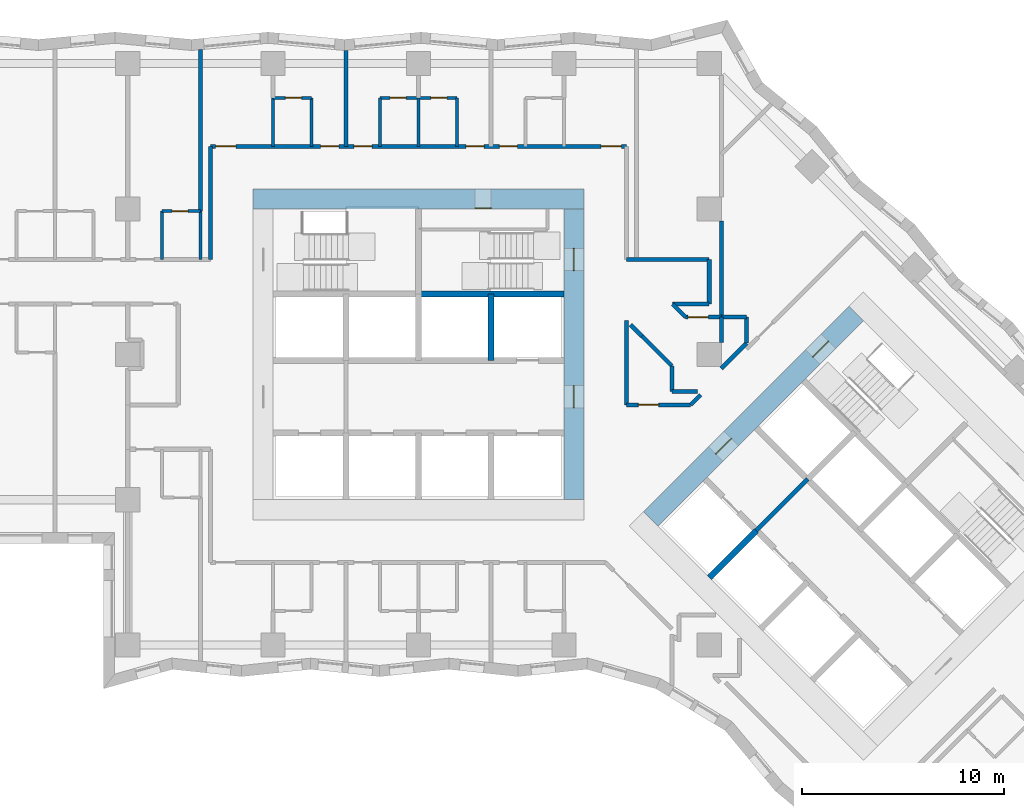
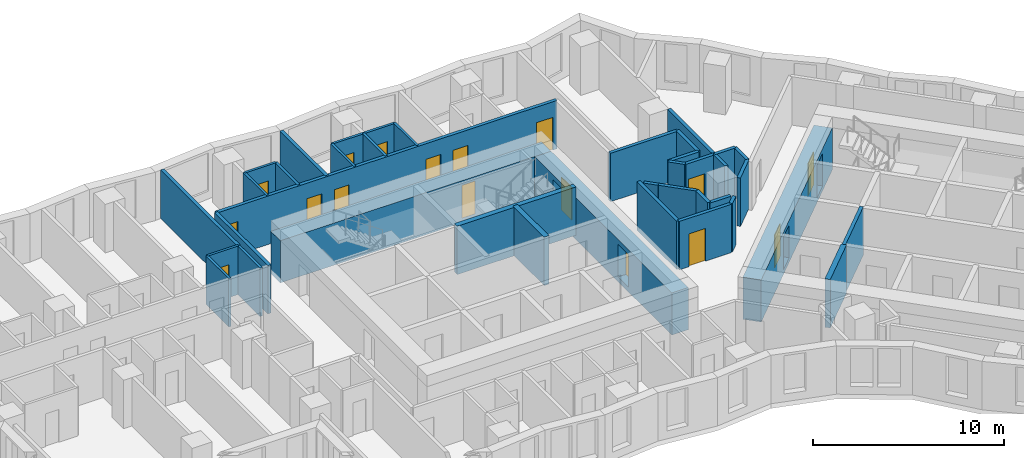
# One storey, part 6 of 13: 38 walls, 17 doors, 17 openings.
"""IFC4 building model written with IfcOpenShell, lengths in metres."""

from ifc_helpers import new_model, si_unit, direction, frame, frame_2d, origin, place, context, subcontext, project, spatial, rectangle, extrude, material, layer, layer_set, type_object, element, fill, save


model = new_model("IFC4")

# Units and contexts
model_context = context("Model", 3, precision=1e-05, world=origin(), true_north=direction((0.0, 1.0)))
body_context = subcontext(model_context, "Body", "Model", "MODEL_VIEW")
ifc_project = project(units=[si_unit("LENGTHUNIT", "METRE"), si_unit("AREAUNIT", "SQUARE_METRE"), si_unit("VOLUMEUNIT", "CUBIC_METRE"), si_unit("PLANEANGLEUNIT", "RADIAN"), si_unit("MASSUNIT", "GRAM", prefix="KILO")], contexts=[model_context])

# Site, building, storey
site_placement = place(None, origin())
site = spatial("IfcSite", under=ifc_project, at=site_placement, CompositionType="ELEMENT")
building_placement = place(site_placement, origin())
building = spatial("IfcBuilding", under=site, at=building_placement, Name="Windrow Commons", CompositionType="ELEMENT")
storey_placement = place(building_placement, frame((0.0, 0.0, 33.8)))
storey = spatial("IfcBuildingStorey", under=building, at=storey_placement, Name="L08", CompositionType="ELEMENT", Elevation=33.8)

# Wall
ifc_material_1 = material(Name="Blockwork partition", Category="masonry")
ifc_layer_1 = layer(ifc_material_1, 0.2)
ifc_layer_set_1 = layer_set([ifc_layer_1], Name="Fire lobby partition 200")
wall_type_1 = type_object("IfcWallType", Name="Fire lobby partition 200", PredefinedType="PARTITIONING", material=ifc_layer_set_1)
wall_1_placement = place(storey_placement, frame((81.5335, 48.8776, 0.0), z_axis=(0.0, 0.0, 1.0), x_axis=(0.707092892, 0.7071206701, 0.0)))
element("IfcWall", 1, at=wall_1_placement, inside=storey, type_object=wall_type_1, Name="W-core-lobby-B-L08", PredefinedType="PARTITIONING", context=body_context, shape_type="SweptSolid", body=[
    extrude(rectangle(XDim=3.6, YDim=0.2, at=frame_2d((1.8, 0.0))), origin(), (0.0, 0.0, 1.0), 3.1),
])

# Wall, openings, doors
ifc_material_2 = material(Name="Blockwork partition", Category="masonry")
ifc_layer_2 = layer(ifc_material_2, 0.2)
ifc_layer_set_2 = layer_set([ifc_layer_2], Name="IW-CORRIDOR-200")
wall_type_2 = type_object("IfcWallType", Name="IW-CORRIDOR-200", PredefinedType="PARTITIONING", material=ifc_layer_set_2)
wall_2_placement = place(storey_placement, frame((54.5, 67.9, 0.0), z_axis=(0.0, 0.0, 1.0), x_axis=(1.0, 0.0, 0.0)))
wall_2 = element("IfcWall", 2, at=wall_2_placement, inside=storey, type_object=wall_type_2, Name="W-L08-W002", PredefinedType="PARTITIONING", context=body_context, shape_type="SweptSolid", body=[
    extrude(rectangle(XDim=20.6, YDim=0.2, at=frame_2d((10.3, 0.0))), origin(), (0.0, 0.0, 1.0), 3.1),
])
opening_1_placement = place(wall_2_placement, frame((0.2548, 0.0, 0.0)))
opening_1 = element("IfcOpeningElement", 3, at=opening_1_placement, cuts=wall_2, Name="Opening D310F", PredefinedType="OPENING", context=body_context, shape_type="SweptSolid", body=[
    extrude(rectangle(XDim=1.0, YDim=2.1, at=frame_2d((0.5, 1.05))), frame((0.0, 0.11, 0.0), z_axis=(0.0, -1.0, 0.0), x_axis=(1.0, 0.0, 0.0)), (0.0, 0.0, 1.0), 0.22),
])
opening_2_placement = place(wall_2_placement, frame((19.3452, 0.0, 0.0)))
opening_2 = element("IfcOpeningElement", 4, at=opening_2_placement, cuts=wall_2, Name="Opening D310F", PredefinedType="OPENING", context=body_context, shape_type="SweptSolid", body=[
    extrude(rectangle(XDim=1.0, YDim=2.1, at=frame_2d((0.5, 1.05))), frame((0.0, 0.11, 0.0), z_axis=(0.0, -1.0, 0.0), x_axis=(1.0, 0.0, 0.0)), (0.0, 0.0, 1.0), 0.22),
])
opening_3_placement = place(wall_2_placement, frame((5.45, 0.0, 0.0)))
opening_3 = element("IfcOpeningElement", 5, at=opening_3_placement, cuts=wall_2, Name="Opening D109S", PredefinedType="OPENING", context=body_context, shape_type="SweptSolid", body=[
    extrude(rectangle(XDim=0.9, YDim=2.1, at=frame_2d((0.45, 1.05))), frame((0.0, 0.11, 0.0), z_axis=(0.0, -1.0, 0.0), x_axis=(1.0, 0.0, 0.0)), (0.0, 0.0, 1.0), 0.22),
])
opening_4_placement = place(wall_2_placement, frame((7.1, 0.0, 0.0)))
opening_4 = element("IfcOpeningElement", 6, at=opening_4_placement, cuts=wall_2, Name="Opening D109S", PredefinedType="OPENING", context=body_context, shape_type="SweptSolid", body=[
    extrude(rectangle(XDim=0.9, YDim=2.1, at=frame_2d((0.45, 1.05))), frame((0.0, 0.11, 0.0), z_axis=(0.0, -1.0, 0.0), x_axis=(1.0, 0.0, 0.0)), (0.0, 0.0, 1.0), 0.22),
])
opening_5_placement = place(wall_2_placement, frame((12.65, 0.0, 0.0)))
opening_5 = element("IfcOpeningElement", 7, at=opening_5_placement, cuts=wall_2, Name="Opening D109S", PredefinedType="OPENING", context=body_context, shape_type="SweptSolid", body=[
    extrude(rectangle(XDim=0.9, YDim=2.1, at=frame_2d((0.45, 1.05))), frame((0.0, 0.11, 0.0), z_axis=(0.0, -1.0, 0.0), x_axis=(1.0, 0.0, 0.0)), (0.0, 0.0, 1.0), 0.22),
])
opening_6_placement = place(wall_2_placement, frame((14.3, 0.0, 0.0)))
opening_6 = element("IfcOpeningElement", 8, at=opening_6_placement, cuts=wall_2, Name="Opening D109S", PredefinedType="OPENING", context=body_context, shape_type="SweptSolid", body=[
    extrude(rectangle(XDim=0.9, YDim=2.1, at=frame_2d((0.45, 1.05))), frame((0.0, 0.11, 0.0), z_axis=(0.0, -1.0, 0.0), x_axis=(1.0, 0.0, 0.0)), (0.0, 0.0, 1.0), 0.22),
])
ifc_material_3 = material(Name="Timber door leaf", Category="wood")
door_type_1 = type_object("IfcDoorType", Name="DT-AMENITY-1000", OperationType="SINGLE_SWING_LEFT", PredefinedType="DOOR", material=ifc_material_3)
door_1_placement = place(opening_1_placement, origin())
door_1 = element("IfcDoor", 9, at=door_1_placement, inside=storey, type_object=door_type_1, Name="D-L08-D024", OperationType="SINGLE_SWING_LEFT", OverallHeight=2.1, OverallWidth=1.0, PredefinedType="DOOR", context=body_context, shape_type="SweptSolid", body=[
    extrude(rectangle(XDim=1.0, YDim=2.1, at=frame_2d((0.5, 1.05))), frame((0.0, 0.025, 0.0), z_axis=(0.0, -1.0, 0.0), x_axis=(1.0, 0.0, 0.0)), (0.0, 0.0, 1.0), 0.05),
])
fill(opening_1, door_1)
door_2_placement = place(opening_2_placement, origin())
door_2 = element("IfcDoor", 10, at=door_2_placement, inside=storey, type_object=door_type_1, Name="D-L08-D025", OperationType="SINGLE_SWING_RIGHT", OverallHeight=2.1, OverallWidth=1.0, PredefinedType="DOOR", context=body_context, shape_type="SweptSolid", body=[
    extrude(rectangle(XDim=1.0, YDim=2.1, at=frame_2d((0.5, 1.05))), frame((0.0, 0.025, 0.0), z_axis=(0.0, -1.0, 0.0), x_axis=(1.0, 0.0, 0.0)), (0.0, 0.0, 1.0), 0.05),
])
fill(opening_2, door_2)
ifc_material_4 = material(Name="Timber door leaf", Category="wood")
door_type_2 = type_object("IfcDoorType", Name="DT-BEDROOM-900", OperationType="SINGLE_SWING_LEFT", PredefinedType="DOOR", material=ifc_material_4)
door_3_placement = place(opening_3_placement, origin())
door_3 = element("IfcDoor", 11, at=door_3_placement, inside=storey, type_object=door_type_2, Name="D-L08-D031", OperationType="SINGLE_SWING_RIGHT", OverallHeight=2.1, OverallWidth=0.9, PredefinedType="DOOR", context=body_context, shape_type="SweptSolid", body=[
    extrude(rectangle(XDim=0.9, YDim=2.1, at=frame_2d((0.45, 1.05))), frame((0.0, 0.025, 0.0), z_axis=(0.0, -1.0, 0.0), x_axis=(1.0, 0.0, 0.0)), (0.0, 0.0, 1.0), 0.05),
])
fill(opening_3, door_3)
door_4_placement = place(opening_4_placement, origin())
door_4 = element("IfcDoor", 12, at=door_4_placement, inside=storey, type_object=door_type_2, Name="D-L08-D033", OperationType="SINGLE_SWING_LEFT", OverallHeight=2.1, OverallWidth=0.9, PredefinedType="DOOR", context=body_context, shape_type="SweptSolid", body=[
    extrude(rectangle(XDim=0.9, YDim=2.1, at=frame_2d((0.45, 1.05))), frame((0.0, 0.025, 0.0), z_axis=(0.0, -1.0, 0.0), x_axis=(1.0, 0.0, 0.0)), (0.0, 0.0, 1.0), 0.05),
])
fill(opening_4, door_4)
door_5_placement = place(opening_5_placement, origin())
door_5 = element("IfcDoor", 13, at=door_5_placement, inside=storey, type_object=door_type_2, Name="D-L08-D035", OperationType="SINGLE_SWING_RIGHT", OverallHeight=2.1, OverallWidth=0.9, PredefinedType="DOOR", context=body_context, shape_type="SweptSolid", body=[
    extrude(rectangle(XDim=0.9, YDim=2.1, at=frame_2d((0.45, 1.05))), frame((0.0, 0.025, 0.0), z_axis=(0.0, -1.0, 0.0), x_axis=(1.0, 0.0, 0.0)), (0.0, 0.0, 1.0), 0.05),
])
fill(opening_5, door_5)
door_6_placement = place(opening_6_placement, origin())
door_6 = element("IfcDoor", 14, at=door_6_placement, inside=storey, type_object=door_type_2, Name="D-L08-D037", OperationType="SINGLE_SWING_LEFT", OverallHeight=2.1, OverallWidth=0.9, PredefinedType="DOOR", context=body_context, shape_type="SweptSolid", body=[
    extrude(rectangle(XDim=0.9, YDim=2.1, at=frame_2d((0.45, 1.05))), frame((0.0, 0.025, 0.0), z_axis=(0.0, -1.0, 0.0), x_axis=(1.0, 0.0, 0.0)), (0.0, 0.0, 1.0), 0.05),
])
fill(opening_6, door_6)

# Walls
wall_3_placement = place(storey_placement, frame((54.5, 62.302, 0.0), z_axis=(0.0, 0.0, 1.0), x_axis=(0.0, 1.0, 0.0)))
element("IfcWall", 15, at=wall_3_placement, inside=storey, type_object=wall_type_2, Name="W-L08-W039", PredefinedType="PARTITIONING", context=body_context, shape_type="SweptSolid", body=[
    extrude(rectangle(XDim=5.598, YDim=0.2, at=frame_2d((2.799, 0.0))), origin(), (0.0, 0.0, 1.0), 3.1),
])
wall_4_placement = place(storey_placement, frame((75.1, 55.102, 0.0), z_axis=(0.0, 0.0, 1.0), x_axis=(0.0, 1.0, 0.0)))
element("IfcWall", 16, at=wall_4_placement, inside=storey, type_object=wall_type_2, Name="W-L08-W056", PredefinedType="PARTITIONING", context=body_context, shape_type="SweptSolid", body=[
    extrude(rectangle(XDim=4.166, YDim=0.2, at=frame_2d((2.083, 0.0))), origin(), (0.0, 0.0, 1.0), 3.1),
])
wall_5_placement = place(storey_placement, frame((75.102, 62.3, 0.0), z_axis=(0.0, 0.0, 1.0), x_axis=(1.0, 0.0, 0.0)))
element("IfcWall", 17, at=wall_5_placement, inside=storey, type_object=wall_type_2, Name="W-L08-W058", PredefinedType="PARTITIONING", context=body_context, shape_type="SweptSolid", body=[
    extrude(rectangle(XDim=4.098, YDim=0.2, at=frame_2d((2.049, 0.0))), origin(), (0.0, 0.0, 1.0), 3.1),
])

# Wall, opening, door
wall_6_placement = place(storey_placement, frame((75.102, 55.1, 0.0), z_axis=(0.0, 0.0, 1.0), x_axis=(1.0, 0.0, 0.0)))
wall_6 = element("IfcWall", 18, at=wall_6_placement, inside=storey, type_object=wall_type_2, Name="W-L08-W068", PredefinedType="PARTITIONING", context=body_context, shape_type="SweptSolid", body=[
    extrude(rectangle(XDim=3.178, YDim=0.2, at=frame_2d((1.589, 0.0))), origin(), (0.0, 0.0, 1.0), 3.1),
])
opening_7_placement = place(wall_6_placement, frame((0.5937, 0.0, 0.0)))
opening_7 = element("IfcOpeningElement", 19, at=opening_7_placement, cuts=wall_6, Name="Opening D310F", PredefinedType="OPENING", context=body_context, shape_type="SweptSolid", body=[
    extrude(rectangle(XDim=1.0, YDim=2.1, at=frame_2d((0.5, 1.05))), frame((0.0, 0.11, 0.0), z_axis=(0.0, -1.0, 0.0), x_axis=(1.0, 0.0, 0.0)), (0.0, 0.0, 1.0), 0.22),
])
door_7_placement = place(opening_7_placement, origin())
door_7 = element("IfcDoor", 20, at=door_7_placement, inside=storey, type_object=door_type_1, Name="D-L08-D000", OperationType="SINGLE_SWING_LEFT", OverallHeight=2.1, OverallWidth=1.0, PredefinedType="DOOR", context=body_context, shape_type="SweptSolid", body=[
    extrude(rectangle(XDim=1.0, YDim=2.1, at=frame_2d((0.5, 1.05))), frame((0.0, 0.025, 0.0), z_axis=(0.0, -1.0, 0.0), x_axis=(1.0, 0.0, 0.0)), (0.0, 0.0, 1.0), 0.05),
])
fill(opening_7, door_7)

# Walls
wall_7_placement = place(storey_placement, frame((79.2, 60.102, 0.0), z_axis=(0.0, 0.0, 1.0), x_axis=(0.0, 1.0, 0.0)))
element("IfcWall", 21, at=wall_7_placement, inside=storey, type_object=wall_type_2, Name="W-L08-W130", PredefinedType="PARTITIONING", context=body_context, shape_type="SweptSolid", body=[
    extrude(rectangle(XDim=2.198, YDim=0.2, at=frame_2d((1.099, 0.0))), origin(), (0.0, 0.0, 1.0), 3.1),
])
wall_8_placement = place(storey_placement, frame((75.8791, 58.4971, 0.0), z_axis=(0.0, 0.0, 1.0), x_axis=(0.7075866635, -0.706626573, 0.0)))
element("IfcWall", 22, at=wall_8_placement, inside=storey, type_object=wall_type_2, Name="W-L08-W133", PredefinedType="PARTITIONING", context=body_context, shape_type="SweptSolid", body=[
    extrude(rectangle(XDim=2.0831, YDim=0.2, at=frame_2d((1.0415, 0.0))), origin(), (0.0, 0.0, 1.0), 3.1),
])
wall_9_placement = place(storey_placement, frame((77.384, 60.1, 0.0), z_axis=(0.0, 0.0, 1.0), x_axis=(1.0, 0.0, 0.0)))
element("IfcWall", 23, at=wall_9_placement, inside=storey, type_object=wall_type_2, Name="W-L08-W159", PredefinedType="PARTITIONING", context=body_context, shape_type="SweptSolid", body=[
    extrude(rectangle(XDim=1.814, YDim=0.2, at=frame_2d((0.907, 0.0))), origin(), (0.0, 0.0, 1.0), 3.1),
])

# Wall, opening, door
wall_10_placement = place(storey_placement, frame((78.032, 59.45, 0.0), z_axis=(0.0, 0.0, 1.0), x_axis=(1.0, 0.0, 0.0)))
wall_10 = element("IfcWall", 24, at=wall_10_placement, inside=storey, type_object=wall_type_2, Name="W-L08-W162", PredefinedType="PARTITIONING", context=body_context, shape_type="SweptSolid", body=[
    extrude(rectangle(XDim=1.768, YDim=0.2, at=frame_2d((0.884, 0.0))), origin(), (0.0, 0.0, 1.0), 3.1),
])
opening_8_placement = place(wall_10_placement, frame((0.1264, 0.0, 0.0)))
opening_8 = element("IfcOpeningElement", 25, at=opening_8_placement, cuts=wall_10, Name="Opening D310F", PredefinedType="OPENING", context=body_context, shape_type="SweptSolid", body=[
    extrude(rectangle(XDim=1.0, YDim=2.1, at=frame_2d((0.5, 1.05))), frame((0.0, 0.11, 0.0), z_axis=(0.0, -1.0, 0.0), x_axis=(1.0, 0.0, 0.0)), (0.0, 0.0, 1.0), 0.22),
])
door_8_placement = place(opening_8_placement, origin())
door_8 = element("IfcDoor", 26, at=door_8_placement, inside=storey, type_object=door_type_1, Name="D-L08-D048", OperationType="SINGLE_SWING_LEFT", OverallHeight=2.1, OverallWidth=1.0, PredefinedType="DOOR", context=body_context, shape_type="SweptSolid", body=[
    extrude(rectangle(XDim=1.0, YDim=2.1, at=frame_2d((0.5, 1.05))), frame((0.0, 0.025, 0.0), z_axis=(0.0, -1.0, 0.0), x_axis=(1.0, 0.0, 0.0)), (0.0, 0.0, 1.0), 0.05),
])
fill(opening_8, door_8)

# Walls
wall_11_placement = place(storey_placement, frame((79.8011, 56.9049, 0.0), z_axis=(0.0, 0.0, 1.0), x_axis=(0.7071067812, 0.7071067812, 0.0)))
element("IfcWall", 27, at=wall_11_placement, inside=storey, type_object=wall_type_2, Name="W-L08-W163", PredefinedType="PARTITIONING", context=body_context, shape_type="SweptSolid", body=[
    extrude(rectangle(XDim=1.7649, YDim=0.2, at=frame_2d((0.8824, 0.0))), origin(), (0.0, 0.0, 1.0), 3.1),
])
for number, where, z_axis, x_axis, name in (
    (28, (77.352, 55.75, 0.0), (0.0, 0.0, 1.0), (1.0, 0.0, 0.0), "W-L08-W177"),
    (29, (77.35, 55.752, 0.0), (0.0, 0.0, 1.0), (0.0, 1.0, 0.0), "W-L08-W178"),
):
    element("IfcWall", number, at=place(storey_placement, frame(where, z_axis=z_axis, x_axis=x_axis)), inside=storey, type_object=wall_type_2, Name=name, PredefinedType="PARTITIONING", context=body_context, shape_type="SweptSolid", body=[
        extrude(rectangle(XDim=1.268, YDim=0.2, at=frame_2d((0.634, 0.0))), origin(), (0.0, 0.0, 1.0), 3.1),
    ])
wall_12_placement = place(storey_placement, frame((79.8, 58.2, 0.0), z_axis=(0.0, 0.0, 1.0), x_axis=(0.0, 1.0, 0.0)))
element("IfcWall", 30, at=wall_12_placement, inside=storey, type_object=wall_type_2, Name="W-L08-W179", PredefinedType="PARTITIONING", context=body_context, shape_type="SweptSolid", body=[
    extrude(rectangle(XDim=1.25, YDim=0.2, at=frame_2d((0.625, 0.0))), origin(), (0.0, 0.0, 1.0), 3.1),
])
wall_13_placement = place(storey_placement, frame((77.3809, 60.0949, 0.0), z_axis=(0.0, 0.0, 1.0), x_axis=(0.7071067812, -0.7071067812, 0.0)))
element("IfcWall", 31, at=wall_13_placement, inside=storey, type_object=wall_type_2, Name="W-L08-W187", PredefinedType="PARTITIONING", context=body_context, shape_type="SweptSolid", body=[
    extrude(rectangle(XDim=0.9164, YDim=0.2, at=frame_2d((0.4582, 0.0))), origin(), (0.0, 0.0, 1.0), 3.1),
])
wall_14_placement = place(storey_placement, frame((75.2972, 59.0672, 0.0), z_axis=(0.0, 0.0, 1.0), x_axis=(0.7071067812, -0.7071067812, 0.0)))
element("IfcWall", 32, at=wall_14_placement, inside=storey, type_object=wall_type_2, Name="W-L08-W188", PredefinedType="PARTITIONING", context=body_context, shape_type="SweptSolid", body=[
    extrude(rectangle(XDim=0.8146, YDim=0.2, at=frame_2d((0.4073, 0.0))), origin(), (0.0, 0.0, 1.0), 3.1),
])
wall_15_placement = place(storey_placement, frame((78.2795, 55.1005, 0.0), z_axis=(0.0, 0.0, 1.0), x_axis=(0.7071067812, 0.7071067812, 0.0)))
element("IfcWall", 33, at=wall_15_placement, inside=storey, type_object=wall_type_2, Name="W-L08-W190", PredefinedType="PARTITIONING", context=body_context, shape_type="SweptSolid", body=[
    extrude(rectangle(XDim=0.7014, YDim=0.2, at=frame_2d((0.3507, 0.0))), origin(), (0.0, 0.0, 1.0), 3.1),
])

# Wall, openings, doors
ifc_material_5 = material(Name="Blockwork partition", Category="masonry")
ifc_layer_3 = layer(ifc_material_5, 0.15)
ifc_layer_set_3 = layer_set([ifc_layer_3], Name="IW-ENSUITE-150")
wall_type_3 = type_object("IfcWallType", Name="IW-ENSUITE-150", PredefinedType="PARTITIONING", material=ifc_layer_set_3)
wall_16_placement = place(storey_placement, frame((62.9, 70.3, 0.0), z_axis=(0.0, 0.0, 1.0), x_axis=(1.0, 0.0, 0.0)))
wall_16 = element("IfcWall", 34, at=wall_16_placement, inside=storey, type_object=wall_type_3, Name="W-L08-W062", PredefinedType="PARTITIONING", context=body_context, shape_type="SweptSolid", body=[
    extrude(rectangle(XDim=3.8, YDim=0.15, at=frame_2d((1.9, 0.0))), origin(), (0.0, 0.0, 1.0), 3.1),
])
opening_9_placement = place(wall_16_placement, frame((0.4931, 0.0, 0.0)))
opening_9 = element("IfcOpeningElement", 35, at=opening_9_placement, cuts=wall_16, Name="Opening D208N", PredefinedType="OPENING", context=body_context, shape_type="SweptSolid", body=[
    extrude(rectangle(XDim=0.8, YDim=2.1, at=frame_2d((0.4, 1.05))), frame((0.0, 0.085, 0.0), z_axis=(0.0, -1.0, 0.0), x_axis=(1.0, 0.0, 0.0)), (0.0, 0.0, 1.0), 0.17),
])
opening_10_placement = place(wall_16_placement, frame((2.5069, 0.0, 0.0)))
opening_10 = element("IfcOpeningElement", 36, at=opening_10_placement, cuts=wall_16, Name="Opening D208N", PredefinedType="OPENING", context=body_context, shape_type="SweptSolid", body=[
    extrude(rectangle(XDim=0.8, YDim=2.1, at=frame_2d((0.4, 1.05))), frame((0.0, 0.085, 0.0), z_axis=(0.0, -1.0, 0.0), x_axis=(1.0, 0.0, 0.0)), (0.0, 0.0, 1.0), 0.17),
])
ifc_material_6 = material(Name="Timber door leaf", Category="wood")
door_type_3 = type_object("IfcDoorType", Name="DT-ENSUITE-800", OperationType="SINGLE_SWING_LEFT", PredefinedType="DOOR", material=ifc_material_6)
door_9_placement = place(opening_9_placement, origin())
door_9 = element("IfcDoor", 37, at=door_9_placement, inside=storey, type_object=door_type_3, Name="D-L08-D034", OperationType="SINGLE_SWING_RIGHT", OverallHeight=2.1, OverallWidth=0.8, PredefinedType="DOOR", context=body_context, shape_type="SweptSolid", body=[
    extrude(rectangle(XDim=0.8, YDim=2.1, at=frame_2d((0.4, 1.05))), frame((0.0, 0.025, 0.0), z_axis=(0.0, -1.0, 0.0), x_axis=(1.0, 0.0, 0.0)), (0.0, 0.0, 1.0), 0.05),
])
fill(opening_9, door_9)
door_10_placement = place(opening_10_placement, origin())
door_10 = element("IfcDoor", 38, at=door_10_placement, inside=storey, type_object=door_type_3, Name="D-L08-D036", OperationType="SINGLE_SWING_RIGHT", OverallHeight=2.1, OverallWidth=0.8, PredefinedType="DOOR", context=body_context, shape_type="SweptSolid", body=[
    extrude(rectangle(XDim=0.8, YDim=2.1, at=frame_2d((0.4, 1.05))), frame((0.0, 0.025, 0.0), z_axis=(0.0, -1.0, 0.0), x_axis=(1.0, 0.0, 0.0)), (0.0, 0.0, 1.0), 0.05),
])
fill(opening_10, door_10)

# Walls
for number, where, z_axis, x_axis, name in (
    (39, (52.1, 62.3, 0.0), (0.0, 0.0, 1.0), (0.0, 1.0, 0.0), "W-L08-W093"),
    (40, (54.0, 62.3, 0.0), (0.0, 0.0, 1.0), (0.0, 1.0, 0.0), "W-L08-W094"),
    (41, (59.5, 67.9, 0.0), (0.0, 0.0, 1.0), (0.0, 1.0, 0.0), "W-L08-W108"),
    (42, (57.6, 67.9, 0.0), (0.0, 0.0, 1.0), (0.0, 1.0, 0.0), "W-L08-W109"),
    (43, (62.9, 67.9, 0.0), (0.0, 0.0, 1.0), (0.0, 1.0, 0.0), "W-L08-W110"),
    (44, (66.7, 67.9, 0.0), (0.0, 0.0, 1.0), (0.0, 1.0, 0.0), "W-L08-W111"),
    (45, (64.8, 67.9, 0.0), (0.0, 0.0, 1.0), (0.0, 1.0, 0.0), "W-L08-W112"),
):
    element("IfcWall", number, at=place(storey_placement, frame(where, z_axis=z_axis, x_axis=x_axis)), inside=storey, type_object=wall_type_3, Name=name, PredefinedType="PARTITIONING", context=body_context, shape_type="SweptSolid", body=[
        extrude(rectangle(XDim=2.4, YDim=0.15, at=frame_2d((1.2, 0.0))), origin(), (0.0, 0.0, 1.0), 3.1),
    ])

# Wall, opening, door
wall_17_placement = place(storey_placement, frame((52.1, 64.7, 0.0), z_axis=(0.0, 0.0, 1.0), x_axis=(1.0, 0.0, 0.0)))
wall_17 = element("IfcWall", 46, at=wall_17_placement, inside=storey, type_object=wall_type_3, Name="W-L08-W149", PredefinedType="PARTITIONING", context=body_context, shape_type="SweptSolid", body=[
    extrude(rectangle(XDim=1.9, YDim=0.15, at=frame_2d((0.95, 0.0))), origin(), (0.0, 0.0, 1.0), 3.1),
])
opening_11_placement = place(wall_17_placement, frame((0.4931, 0.0, 0.0)))
opening_11 = element("IfcOpeningElement", 47, at=opening_11_placement, cuts=wall_17, Name="Opening D208N", PredefinedType="OPENING", context=body_context, shape_type="SweptSolid", body=[
    extrude(rectangle(XDim=0.8, YDim=2.1, at=frame_2d((0.4, 1.05))), frame((0.0, 0.085, 0.0), z_axis=(0.0, -1.0, 0.0), x_axis=(1.0, 0.0, 0.0)), (0.0, 0.0, 1.0), 0.17),
])
door_11_placement = place(opening_11_placement, origin())
door_11 = element("IfcDoor", 48, at=door_11_placement, inside=storey, type_object=door_type_3, Name="D-L08-D023", OperationType="SINGLE_SWING_RIGHT", OverallHeight=2.1, OverallWidth=0.8, PredefinedType="DOOR", context=body_context, shape_type="SweptSolid", body=[
    extrude(rectangle(XDim=0.8, YDim=2.1, at=frame_2d((0.4, 1.05))), frame((0.0, 0.025, 0.0), z_axis=(0.0, -1.0, 0.0), x_axis=(1.0, 0.0, 0.0)), (0.0, 0.0, 1.0), 0.05),
])
fill(opening_11, door_11)

wall_18_placement = place(storey_placement, frame((57.6, 70.3, 0.0), z_axis=(0.0, 0.0, 1.0), x_axis=(1.0, 0.0, 0.0)))
wall_18 = element("IfcWall", 49, at=wall_18_placement, inside=storey, type_object=wall_type_3, Name="W-L08-W154", PredefinedType="PARTITIONING", context=body_context, shape_type="SweptSolid", body=[
    extrude(rectangle(XDim=1.9, YDim=0.15, at=frame_2d((0.95, 0.0))), origin(), (0.0, 0.0, 1.0), 3.1),
])
opening_12_placement = place(wall_18_placement, frame((0.6069, 0.0, 0.0)))
opening_12 = element("IfcOpeningElement", 50, at=opening_12_placement, cuts=wall_18, Name="Opening D208N", PredefinedType="OPENING", context=body_context, shape_type="SweptSolid", body=[
    extrude(rectangle(XDim=0.8, YDim=2.1, at=frame_2d((0.4, 1.05))), frame((0.0, 0.085, 0.0), z_axis=(0.0, -1.0, 0.0), x_axis=(1.0, 0.0, 0.0)), (0.0, 0.0, 1.0), 0.17),
])
door_12_placement = place(opening_12_placement, origin())
door_12 = element("IfcDoor", 51, at=door_12_placement, inside=storey, type_object=door_type_3, Name="D-L08-D032", OperationType="SINGLE_SWING_RIGHT", OverallHeight=2.1, OverallWidth=0.8, PredefinedType="DOOR", context=body_context, shape_type="SweptSolid", body=[
    extrude(rectangle(XDim=0.8, YDim=2.1, at=frame_2d((0.4, 1.05))), frame((0.0, 0.025, 0.0), z_axis=(0.0, -1.0, 0.0), x_axis=(1.0, 0.0, 0.0)), (0.0, 0.0, 1.0), 0.05),
])
fill(opening_12, door_12)

# Walls
ifc_material_7 = material(Name="Blockwork partition", Category="masonry")
ifc_layer_4 = layer(ifc_material_7, 0.2)
ifc_layer_set_4 = layer_set([ifc_layer_4], Name="IW-PARTY-200")
wall_type_4 = type_object("IfcWallType", Name="IW-PARTY-200", PredefinedType="PARTITIONING", material=ifc_layer_set_4)
wall_19_placement = place(storey_placement, frame((54.0, 64.7, 0.0), z_axis=(0.0, 0.0, 1.0), x_axis=(0.0, 1.0, 0.0)))
element("IfcWall", 52, at=wall_19_placement, inside=storey, type_object=wall_type_4, Name="W-L08-W020", PredefinedType="PARTITIONING", context=body_context, shape_type="SweptSolid", body=[
    extrude(rectangle(XDim=7.9896, YDim=0.2, at=frame_2d((3.9948, 0.0))), origin(), (0.0, 0.0, 1.0), 3.1),
])
wall_20_placement = place(storey_placement, frame((79.8, 59.45, 0.0), z_axis=(0.0, 0.0, 1.0), x_axis=(0.0, 1.0, 0.0)))
element("IfcWall", 53, at=wall_20_placement, inside=storey, type_object=wall_type_4, Name="W-L08-W052", PredefinedType="PARTITIONING", context=body_context, shape_type="SweptSolid", body=[
    extrude(rectangle(XDim=4.75, YDim=0.2, at=frame_2d((2.375, 0.0))), origin(), (0.0, 0.0, 1.0), 3.1),
])
wall_21_placement = place(storey_placement, frame((61.2, 67.9, 0.0), z_axis=(0.0, 0.0, 1.0), x_axis=(0.0, 1.0, 0.0)))
element("IfcWall", 54, at=wall_21_placement, inside=storey, type_object=wall_type_4, Name="W-L08-W054", PredefinedType="PARTITIONING", context=body_context, shape_type="SweptSolid", body=[
    extrude(rectangle(XDim=4.7532, YDim=0.2, at=frame_2d((2.3766, 0.0))), origin(), (0.0, 0.0, 1.0), 3.1),
])
wall_22_placement = place(storey_placement, frame((81.05, 58.152, 0.0), z_axis=(0.0, 0.0, 1.0), x_axis=(0.0, 1.0, 0.0)))
element("IfcWall", 55, at=wall_22_placement, inside=storey, type_object=wall_type_4, Name="W-L08-W176", PredefinedType="PARTITIONING", context=body_context, shape_type="SweptSolid", body=[
    extrude(rectangle(XDim=1.296, YDim=0.2, at=frame_2d((0.648, 0.0))), origin(), (0.0, 0.0, 1.0), 3.1),
])
wall_23_placement = place(storey_placement, frame((79.8, 59.45, 0.0), z_axis=(0.0, 0.0, 1.0), x_axis=(1.0, 0.0, 0.0)))
element("IfcWall", 56, at=wall_23_placement, inside=storey, type_object=wall_type_4, Name="W-L08-W180", PredefinedType="PARTITIONING", context=body_context, shape_type="SweptSolid", body=[
    extrude(rectangle(XDim=1.248, YDim=0.2, at=frame_2d((0.624, 0.0))), origin(), (0.0, 0.0, 1.0), 3.1),
])

# Wall, opening, door
ifc_material_8 = material(Name="Concrete C60/75", Category="concrete")
ifc_layer_5 = layer(ifc_material_8, 1.0)
ifc_layer_set_5 = layer_set([ifc_layer_5], Name="RC CORE WALL 1000 C60/75")
wall_type_5 = type_object("IfcWallType", Name="RC CORE WALL 1000 C60/75", PredefinedType="SHEAR", material=ifc_layer_set_5)
wall_24_placement = place(storey_placement, frame((56.6, 65.3, -0.3), z_axis=(0.0, 0.0, 1.0), x_axis=(1.0, 0.0, 0.0)))
wall_24 = element("IfcWall", 57, at=wall_24_placement, inside=storey, type_object=wall_type_5, Name="Core A wall outer-N", PredefinedType="SHEAR", context=body_context, shape_type="SweptSolid", body=[
    extrude(rectangle(XDim=16.4, YDim=1.0, at=frame_2d((8.2, 0.0))), origin(), (0.0, 0.0, 1.0), 2.7),
])
opening_13_placement = place(wall_24_placement, frame((11.0, 0.0, 0.3)))
opening_13 = element("IfcOpeningElement", 58, at=opening_13_placement, cuts=wall_24, Name="Opening D9", PredefinedType="OPENING", context=body_context, shape_type="SweptSolid", body=[
    extrude(rectangle(XDim=0.8, YDim=2.1, at=frame_2d((0.4, 1.05))), frame((0.0, 0.51, 0.0), z_axis=(0.0, -1.0, 0.0), x_axis=(1.0, 0.0, 0.0)), (0.0, 0.0, 1.0), 1.02),
])
ifc_material_9 = material(Name="Steel fire door leaf", Category="steel")
door_type_4 = type_object("IfcDoorType", Name="Riser access door 800", OperationType="SINGLE_SWING_LEFT", PredefinedType="DOOR", material=ifc_material_9)
door_13_placement = place(opening_13_placement, origin())
door_13 = element("IfcDoor", 59, at=door_13_placement, inside=storey, type_object=door_type_4, Name="Riser access door", OperationType="SINGLE_SWING_RIGHT", OverallHeight=2.1, OverallWidth=0.8, PredefinedType="DOOR", context=body_context, shape_type="SweptSolid", body=[
    extrude(rectangle(XDim=0.8, YDim=2.1, at=frame_2d((0.4, 1.05))), frame((0.0, -0.44, 0.0), z_axis=(0.0, -1.0, 0.0), x_axis=(1.0, 0.0, 0.0)), (0.0, 0.0, 1.0), 0.05),
])
fill(opening_13, door_13)

# Wall, openings, doors
wall_25_placement = place(storey_placement, frame((72.5, 50.4, -0.3), z_axis=(0.0, 0.0, 1.0), x_axis=(0.0, 1.0, 0.0)))
wall_25 = element("IfcWall", 60, at=wall_25_placement, inside=storey, type_object=wall_type_5, Name="Core A wall outer-E", PredefinedType="SHEAR", context=body_context, shape_type="SweptSolid", body=[
    extrude(rectangle(XDim=14.4, YDim=1.0, at=frame_2d((7.2, 0.0))), origin(), (0.0, 0.0, 1.0), 2.7),
])
opening_14_placement = place(wall_25_placement, frame((4.55, 0.0, 0.3)))
opening_14 = element("IfcOpeningElement", 61, at=opening_14_placement, cuts=wall_25, Name="Opening D6", PredefinedType="OPENING", context=body_context, shape_type="SweptSolid", body=[
    extrude(rectangle(XDim=1.1, YDim=2.1, at=frame_2d((0.55, 1.05))), frame((0.0, 0.51, 0.0), z_axis=(0.0, -1.0, 0.0), x_axis=(1.0, 0.0, 0.0)), (0.0, 0.0, 1.0), 1.02),
])
opening_15_placement = place(wall_25_placement, frame((11.35, 0.0, 0.3)))
opening_15 = element("IfcOpeningElement", 62, at=opening_15_placement, cuts=wall_25, Name="Opening D7", PredefinedType="OPENING", context=body_context, shape_type="SweptSolid", body=[
    extrude(rectangle(XDim=1.1, YDim=2.1, at=frame_2d((0.55, 1.05))), frame((0.0, 0.51, 0.0), z_axis=(0.0, -1.0, 0.0), x_axis=(1.0, 0.0, 0.0)), (0.0, 0.0, 1.0), 1.02),
])
ifc_material_10 = material(Name="Steel fire door leaf", Category="steel")
door_type_5 = type_object("IfcDoorType", Name="Core lobby door 1100", OperationType="SINGLE_SWING_LEFT", PredefinedType="DOOR", material=ifc_material_10)
door_14_placement = place(opening_14_placement, origin())
door_14 = element("IfcDoor", 63, at=door_14_placement, inside=storey, type_object=door_type_5, Name="Lift lobby door", OperationType="DOUBLE_DOOR_SINGLE_SWING", OverallHeight=2.1, OverallWidth=1.1, PredefinedType="DOOR", context=body_context, shape_type="SweptSolid", body=[
    extrude(rectangle(XDim=1.1, YDim=2.1, at=frame_2d((0.55, 1.05))), frame((0.0, 0.025, 0.0), z_axis=(0.0, -1.0, 0.0), x_axis=(1.0, 0.0, 0.0)), (0.0, 0.0, 1.0), 0.05),
])
fill(opening_14, door_14)
ifc_material_11 = material(Name="Steel fire door leaf", Category="steel")
door_type_6 = type_object("IfcDoorType", Name="Stair door 1100", OperationType="SINGLE_SWING_LEFT", PredefinedType="DOOR", material=ifc_material_11)
door_15_placement = place(opening_15_placement, origin())
door_15 = element("IfcDoor", 64, at=door_15_placement, inside=storey, type_object=door_type_6, Name="Stair door", OperationType="SINGLE_SWING_RIGHT", OverallHeight=2.1, OverallWidth=1.1, PredefinedType="DOOR", context=body_context, shape_type="SweptSolid", body=[
    extrude(rectangle(XDim=1.1, YDim=2.1, at=frame_2d((0.55, 1.05))), frame((0.0, 0.025, 0.0), z_axis=(0.0, -1.0, 0.0), x_axis=(1.0, 0.0, 0.0)), (0.0, 0.0, 1.0), 0.05),
])
fill(opening_15, door_15)

wall_26_placement = place(storey_placement, frame((76.3009, 49.4433, -0.3), z_axis=(0.0, 0.0, 1.0), x_axis=(0.7071067812, 0.7071067812, 0.0)))
wall_26 = element("IfcWall", 65, at=wall_26_placement, inside=storey, type_object=wall_type_5, Name="Core B wall outer-W", PredefinedType="SHEAR", context=body_context, shape_type="SweptSolid", body=[
    extrude(rectangle(XDim=14.3999, YDim=1.0, at=frame_2d((7.2, 0.0))), origin(), (0.0, 0.0, 1.0), 2.7),
])
opening_16_placement = place(wall_26_placement, frame((4.55, 0.0, 0.3)))
opening_16 = element("IfcOpeningElement", 66, at=opening_16_placement, cuts=wall_26, Name="Opening D6", PredefinedType="OPENING", context=body_context, shape_type="SweptSolid", body=[
    extrude(rectangle(XDim=1.1, YDim=2.1, at=frame_2d((0.55, 1.05))), frame((0.0, 0.51, 0.0), z_axis=(0.0, -1.0, 0.0), x_axis=(1.0, 0.0, 0.0)), (0.0, 0.0, 1.0), 1.02),
])
opening_17_placement = place(wall_26_placement, frame((11.35, 0.0, 0.3)))
opening_17 = element("IfcOpeningElement", 67, at=opening_17_placement, cuts=wall_26, Name="Opening D7", PredefinedType="OPENING", context=body_context, shape_type="SweptSolid", body=[
    extrude(rectangle(XDim=1.1, YDim=2.1, at=frame_2d((0.55, 1.05))), frame((0.0, 0.51, 0.0), z_axis=(0.0, -1.0, 0.0), x_axis=(1.0, 0.0, 0.0)), (0.0, 0.0, 1.0), 1.02),
])
door_16_placement = place(opening_16_placement, origin())
door_16 = element("IfcDoor", 68, at=door_16_placement, inside=storey, type_object=door_type_5, Name="Lift lobby door", OperationType="DOUBLE_DOOR_SINGLE_SWING", OverallHeight=2.1, OverallWidth=1.1, PredefinedType="DOOR", context=body_context, shape_type="SweptSolid", body=[
    extrude(rectangle(XDim=1.1, YDim=2.1, at=frame_2d((0.55, 1.05))), frame((0.0, 0.025, 0.0), z_axis=(0.0, -1.0, 0.0), x_axis=(1.0, 0.0, 0.0)), (0.0, 0.0, 1.0), 0.05),
])
fill(opening_16, door_16)
door_17_placement = place(opening_17_placement, origin())
door_17 = element("IfcDoor", 69, at=door_17_placement, inside=storey, type_object=door_type_6, Name="Stair door", OperationType="SINGLE_SWING_LEFT", OverallHeight=2.1, OverallWidth=1.1, PredefinedType="DOOR", context=body_context, shape_type="SweptSolid", body=[
    extrude(rectangle(XDim=1.1, YDim=2.1, at=frame_2d((0.55, 1.05))), frame((0.0, 0.025, 0.0), z_axis=(0.0, -1.0, 0.0), x_axis=(1.0, 0.0, 0.0)), (0.0, 0.0, 1.0), 0.05),
])
fill(opening_17, door_17)

# Walls
ifc_material_12 = material(Name="Concrete C60/75", Category="concrete")
ifc_layer_6 = layer(ifc_material_12, 0.3)
ifc_layer_set_6 = layer_set([ifc_layer_6], Name="RC SHAFT WALL 300 C60/75")
wall_type_6 = type_object("IfcWallType", Name="RC SHAFT WALL 300 C60/75", PredefinedType="SOLIDWALL", material=ifc_layer_set_6)
wall_27_placement = place(storey_placement, frame((68.4, 57.3, 0.0), z_axis=(0.0, 0.0, 1.0), x_axis=(0.0, 1.0, 0.0)))
element("IfcWall", 70, at=wall_27_placement, inside=storey, type_object=wall_type_6, Name="Core A wall shaft-N3", PredefinedType="SOLIDWALL", context=body_context, shape_type="SweptSolid", body=[
    extrude(rectangle(XDim=3.3, YDim=0.3, at=frame_2d((1.65, 0.0))), origin(), (0.0, 0.0, 1.0), 3.1),
])
wall_28_placement = place(storey_placement, frame((64.8, 60.6, 0.0), z_axis=(0.0, 0.0, 1.0), x_axis=(1.0, 0.0, 0.0)))
element("IfcWall", 71, at=wall_28_placement, inside=storey, type_object=wall_type_6, Name="Core A wall stair-S2", PredefinedType="SOLIDWALL", context=body_context, shape_type="SweptSolid", body=[
    extrude(rectangle(XDim=7.2, YDim=0.3, at=frame_2d((3.6, 0.0))), origin(), (0.0, 0.0, 1.0), 3.1),
])
wall_29_placement = place(storey_placement, frame((79.2, 46.5442, 0.0), z_axis=(0.0, 0.0, 1.0), x_axis=(0.7071219326, 0.7070916295, 0.0)))
element("IfcWall", 72, at=wall_29_placement, inside=storey, type_object=wall_type_6, Name="Core B wall shaft-S1", PredefinedType="SOLIDWALL", context=body_context, shape_type="SweptSolid", body=[
    extrude(rectangle(XDim=3.3, YDim=0.3, at=frame_2d((1.65, 0.0))), origin(), (0.0, 0.0, 1.0), 3.1),
])

save(model, "model.ifc")
